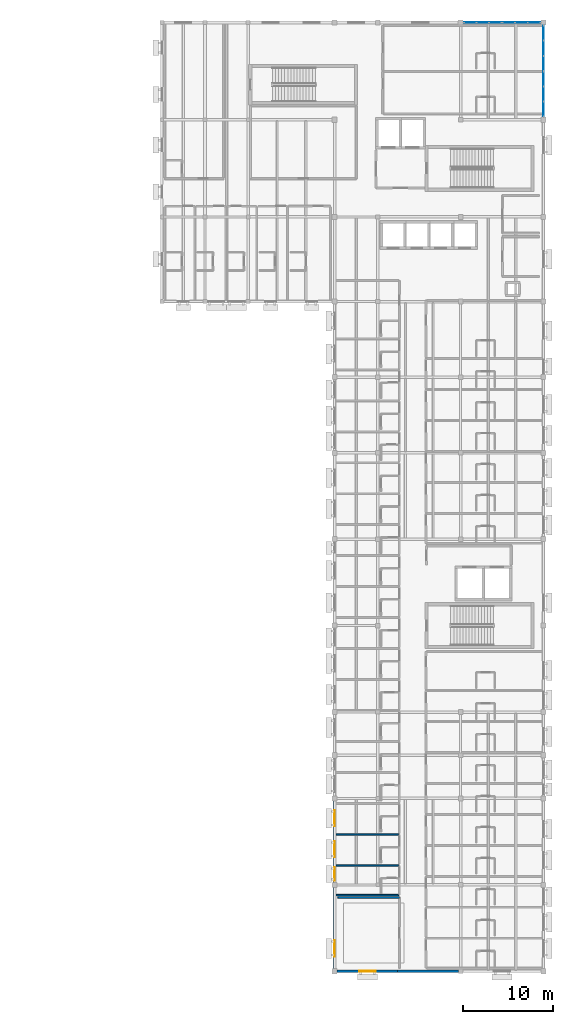
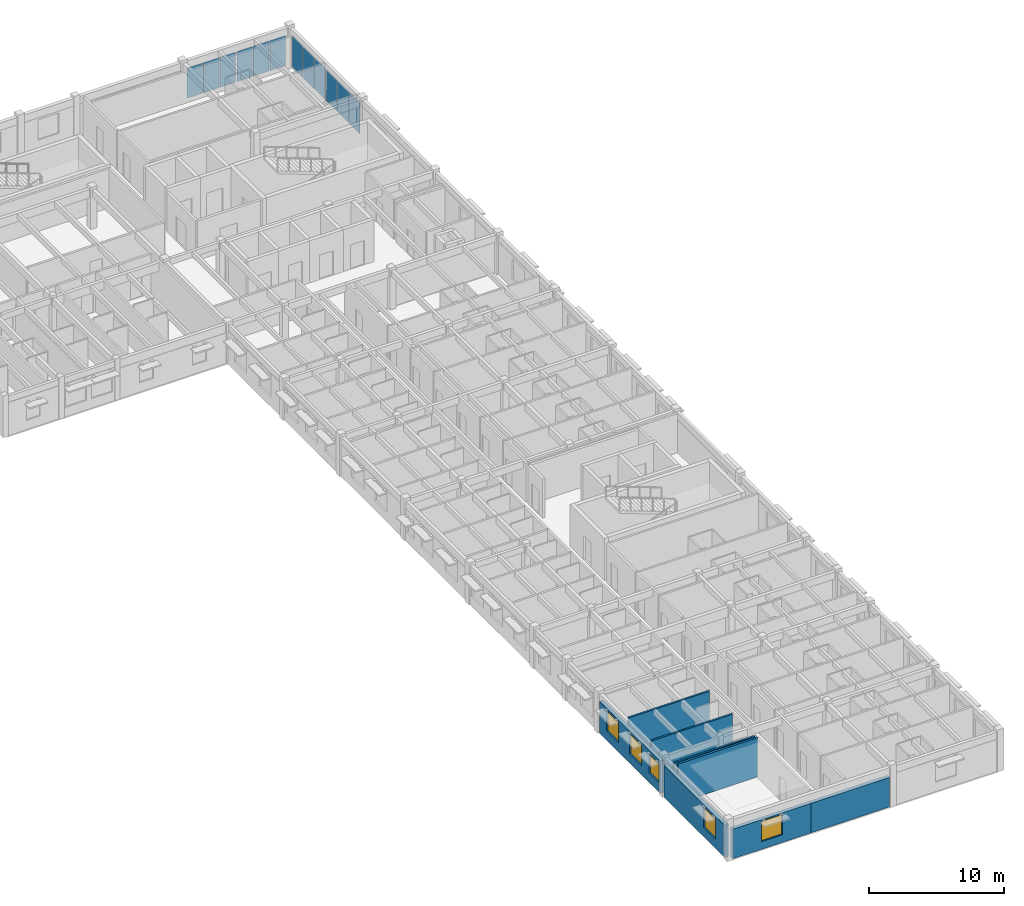
# One storey, part 9 of 31: 12 plates, 8 walls, 5 windows, 5 openings, 4 elements without a shape of their own.
"""IFC4 building model written with IfcOpenShell, lengths in metres."""

from ifc_helpers import new_model, si_unit, direction, frame, frame_2d, origin, origin_2d, place, context, subcontext, project, spatial, rectangle, extrude, material, layer, layer_set, type_object, element, fill, aggregate, save


model = new_model("IFC4")

# Units and contexts
model_context = context("Model", 3, precision=1e-05, world=origin(), true_north=direction((0.0, 1.0)))
body_context = subcontext(model_context, "Body", "Model", "MODEL_VIEW")
ifc_project = project(units=[si_unit("LENGTHUNIT", "METRE"), si_unit("AREAUNIT", "SQUARE_METRE"), si_unit("VOLUMEUNIT", "CUBIC_METRE"), si_unit("PLANEANGLEUNIT", "RADIAN"), si_unit("MASSUNIT", "GRAM", prefix="KILO")], contexts=[model_context])

# Site, building, storey
site_placement = place(None, origin())
site = spatial("IfcSite", under=ifc_project, at=site_placement, CompositionType="ELEMENT")
building_placement = place(site_placement, origin())
building = spatial("IfcBuilding", under=site, at=building_placement, Name="Veldera Park Congress Hotel", CompositionType="ELEMENT")
storey_placement = place(building_placement, frame((0.0, 0.0, 20.0)))
storey = spatial("IfcBuildingStorey", under=building, at=storey_placement, Name="L04", CompositionType="ELEMENT", Elevation=20.0)

# Curtain wall, plates
ifc_material_1 = material(Name="Low-E Triple Insulating Glass Unit (SHGC 0.22)", Category="glass")
curtain_wall_type = type_object("IfcCurtainWallType", Name="CW-HTL", PredefinedType="NOTDEFINED", material=ifc_material_1)
curtain_wall_1_placement = place(storey_placement, origin())
curtain_wall_1 = element("IfcCurtainWall", 1, at=curtain_wall_1_placement, inside=storey, type_object=curtain_wall_type, Name="L04 Curtain Wall CW3-HTLNE-L04-100", PredefinedType="NOTDEFINED")
ifc_layer_1 = layer(ifc_material_1, 0.028076171875)
ifc_layer_set_1 = layer_set([ifc_layer_1], Name="Low-E Triple Insulating Glass Unit (SHGC 0.22)")
plate_type = type_object("IfcPlateType", Name="CWP-IGU28", PredefinedType="CURTAIN_PANEL", material=ifc_layer_set_1)
plate_1_placement = place(storey_placement, frame((84.0, 48.379150390625, 0.06005859375), z_axis=(0.0, 0.0, 1.0), x_axis=(0.0, 1.0, 0.0)))
plate_1 = element("IfcPlate", 2, at=plate_1_placement, type_object=plate_type, Name="CW-HTL panel 1.1", PredefinedType="CURTAIN_PANEL", context=body_context, shape_type="SweptSolid", body=[
    extrude(rectangle(XDim=1.598388671875, YDim=0.028076171875, at=origin_2d()), origin(), (0.0, 0.0, 1.0), 2.844970703125),
])
plate_2_placement = place(storey_placement, frame((84.0, 50.052490234375, 0.06005859375), z_axis=(0.0, 0.0, 1.0), x_axis=(0.0, 1.0, 0.0)))
plate_2 = element("IfcPlate", 3, at=plate_2_placement, type_object=plate_type, Name="CW-HTL panel 2.1", PredefinedType="CURTAIN_PANEL", context=body_context, shape_type="SweptSolid", body=[
    extrude(rectangle(XDim=1.62841796875, YDim=0.028076171875, at=origin_2d()), origin(), (0.0, 0.0, 1.0), 2.844970703125),
])
plate_3_placement = place(storey_placement, frame((84.0, 51.725830078125, 0.06005859375), z_axis=(0.0, 0.0, 1.0), x_axis=(0.0, 1.0, 0.0)))
plate_3 = element("IfcPlate", 4, at=plate_3_placement, type_object=plate_type, Name="CW-HTL panel 3.1", PredefinedType="CURTAIN_PANEL", context=body_context, shape_type="SweptSolid", body=[
    extrude(rectangle(XDim=1.598388671875, YDim=0.028076171875, at=origin_2d()), origin(), (0.0, 0.0, 1.0), 2.844970703125),
])
aggregate(curtain_wall_1, [plate_1, plate_2, plate_3])

curtain_wall_2_placement = place(storey_placement, origin())
curtain_wall_2 = element("IfcCurtainWall", 5, at=curtain_wall_2_placement, inside=storey, type_object=curtain_wall_type, Name="L04 Curtain Wall CW3-HTLNE-L04-101", PredefinedType="NOTDEFINED")
plate_4_placement = place(storey_placement, frame((84.0, 53.47412109375, 0.06005859375), z_axis=(0.0, 0.0, 1.0), x_axis=(0.0, 1.0, 0.0)))
plate_4 = element("IfcPlate", 6, at=plate_4_placement, type_object=plate_type, Name="CW-HTL panel 1.1", PredefinedType="CURTAIN_PANEL", context=body_context, shape_type="SweptSolid", body=[
    extrude(rectangle(XDim=1.598388671875, YDim=0.028076171875, at=origin_2d()), origin(), (0.0, 0.0, 1.0), 2.844970703125),
])
plate_5_placement = place(storey_placement, frame((84.0, 55.1474609375, 0.06005859375), z_axis=(0.0, 0.0, 1.0), x_axis=(0.0, 1.0, 0.0)))
plate_5 = element("IfcPlate", 7, at=plate_5_placement, type_object=plate_type, Name="CW-HTL panel 2.1", PredefinedType="CURTAIN_PANEL", context=body_context, shape_type="SweptSolid", body=[
    extrude(rectangle(XDim=1.62841796875, YDim=0.028076171875, at=origin_2d()), origin(), (0.0, 0.0, 1.0), 2.844970703125),
])
plate_6_placement = place(storey_placement, frame((84.0, 56.82080078125, 0.06005859375), z_axis=(0.0, 0.0, 1.0), x_axis=(0.0, 1.0, 0.0)))
plate_6 = element("IfcPlate", 8, at=plate_6_placement, type_object=plate_type, Name="CW-HTL panel 3.1", PredefinedType="CURTAIN_PANEL", context=body_context, shape_type="SweptSolid", body=[
    extrude(rectangle(XDim=1.598388671875, YDim=0.028076171875, at=origin_2d()), origin(), (0.0, 0.0, 1.0), 2.844970703125),
])
aggregate(curtain_wall_2, [plate_4, plate_5, plate_6])

curtain_wall_3_placement = place(storey_placement, origin())
curtain_wall_3 = element("IfcCurtainWall", 9, at=curtain_wall_3_placement, inside=storey, type_object=curtain_wall_type, Name="L04 Curtain Wall CW3-HTLNN-L04-102", PredefinedType="NOTDEFINED")
plate_7_placement = place(storey_placement, frame((82.9541015625, 58.0, 0.06005859375), z_axis=(0.0, 0.0, 1.0), x_axis=(-1.0, 0.0, 0.0)))
plate_7 = element("IfcPlate", 10, at=plate_7_placement, type_object=plate_type, Name="CW-HTL panel 1.1", PredefinedType="CURTAIN_PANEL", context=body_context, shape_type="SweptSolid", body=[
    extrude(rectangle(XDim=1.331787109375, YDim=0.028076171875, at=origin_2d()), origin(), (0.0, 0.0, 1.0), 2.7451171875),
])
plate_8_placement = place(storey_placement, frame((81.547607421875, 58.0, 0.06005859375), z_axis=(0.0, 0.0, 1.0), x_axis=(-1.0, 0.0, 0.0)))
plate_8 = element("IfcPlate", 11, at=plate_8_placement, type_object=plate_type, Name="CW-HTL panel 2.1", PredefinedType="CURTAIN_PANEL", context=body_context, shape_type="SweptSolid", body=[
    extrude(rectangle(XDim=1.361572265625, YDim=0.028076171875, at=origin_2d()), origin(), (0.0, 0.0, 1.0), 2.7451171875),
])
plate_9_placement = place(storey_placement, frame((80.140869140625, 58.0, 0.06005859375), z_axis=(0.0, 0.0, 1.0), x_axis=(-1.0, 0.0, 0.0)))
plate_9 = element("IfcPlate", 12, at=plate_9_placement, type_object=plate_type, Name="CW-HTL panel 3.1", PredefinedType="CURTAIN_PANEL", context=body_context, shape_type="SweptSolid", body=[
    extrude(rectangle(XDim=1.331787109375, YDim=0.028076171875, at=origin_2d()), origin(), (0.0, 0.0, 1.0), 2.7451171875),
])
aggregate(curtain_wall_3, [plate_7, plate_8, plate_9])

curtain_wall_4_placement = place(storey_placement, origin())
curtain_wall_4 = element("IfcCurtainWall", 13, at=curtain_wall_4_placement, inside=storey, type_object=curtain_wall_type, Name="L04 Curtain Wall CW3-HTLNN-L04-103", PredefinedType="NOTDEFINED")
plate_10_placement = place(storey_placement, frame((78.6591796875, 58.0, 0.06005859375), z_axis=(0.0, 0.0, 1.0), x_axis=(-1.0, 0.0, 0.0)))
plate_10 = element("IfcPlate", 14, at=plate_10_placement, type_object=plate_type, Name="CW-HTL panel 1.1", PredefinedType="CURTAIN_PANEL", context=body_context, shape_type="SweptSolid", body=[
    extrude(rectangle(XDim=1.331787109375, YDim=0.028076171875, at=origin_2d()), origin(), (0.0, 0.0, 1.0), 2.7451171875),
])
plate_11_placement = place(storey_placement, frame((77.25244140625, 58.0, 0.06005859375), z_axis=(0.0, 0.0, 1.0), x_axis=(-1.0, 0.0, 0.0)))
plate_11 = element("IfcPlate", 15, at=plate_11_placement, type_object=plate_type, Name="CW-HTL panel 2.1", PredefinedType="CURTAIN_PANEL", context=body_context, shape_type="SweptSolid", body=[
    extrude(rectangle(XDim=1.361572265625, YDim=0.028076171875, at=origin_2d()), origin(), (0.0, 0.0, 1.0), 2.7451171875),
])
plate_12_placement = place(storey_placement, frame((75.845947265625, 58.0, 0.06005859375), z_axis=(0.0, 0.0, 1.0), x_axis=(-1.0, 0.0, 0.0)))
plate_12 = element("IfcPlate", 16, at=plate_12_placement, type_object=plate_type, Name="CW-HTL panel 3.1", PredefinedType="CURTAIN_PANEL", context=body_context, shape_type="SweptSolid", body=[
    extrude(rectangle(XDim=1.331787109375, YDim=0.028076171875, at=origin_2d()), origin(), (0.0, 0.0, 1.0), 2.7451171875),
])
aggregate(curtain_wall_4, [plate_10, plate_11, plate_12])

# Wall, opening, window
ifc_material_2 = material(Name="Cross-laminated timber CLT V2M1.1", Category="wood")
ifc_layer_2 = layer(ifc_material_2, 0.320068359375)
ifc_layer_set_2 = layer_set([ifc_layer_2], Name="Cross-laminated timber CLT V2M1.1")
wall_type_1 = type_object("IfcWallType", Name="EW-CLT320", PredefinedType="STANDARD", material=ifc_layer_set_2)
wall_1_placement = place(storey_placement, frame((61.077880859375, -47.39990234375, 0.0), z_axis=(0.0, 0.0, 1.0), x_axis=(1.0, 0.0, 0.0)))
wall_1 = element("IfcWall", 17, at=wall_1_placement, inside=storey, type_object=wall_type_1, Name="L04 Exterior Wall EW3-L04-0242", PredefinedType="STANDARD", context=body_context, shape_type="SweptSolid", body=[
    extrude(rectangle(XDim=6.734130859375, YDim=0.320068359375, at=frame_2d((3.3671875, 0.0))), origin(), (0.0, 0.0, 1.0), 2.68505859375),
])
opening_1_placement = place(wall_1_placement, frame((2.467041015625, 0.0, 0.695068359375)))
opening_1 = element("IfcOpeningElement", 18, at=opening_1_placement, cuts=wall_1, Name="Opening WIN-1800", PredefinedType="OPENING", context=body_context, shape_type="SweptSolid", body=[
    extrude(rectangle(XDim=1.800048828125, YDim=1.85009765625, at=frame_2d((0.89990234375, 0.925048828125))), frame((0.0, 0.172119140625, 0.0), z_axis=(0.0, -1.0, 0.0), x_axis=(1.0, 0.0, 0.0)), (0.0, 0.0, 1.0), 0.343994140625),
])
window_type_1 = type_object("IfcWindowType", Name="WIN-1800", PartitioningType="SINGLE_PANEL", PredefinedType="WINDOW", material=ifc_material_1)
window_1_placement = place(opening_1_placement, origin())
window_1 = element("IfcWindow", 19, at=window_1_placement, inside=storey, type_object=window_type_1, Name="L04 Window WIN-1800 199", OverallHeight=1.85009765625, OverallWidth=1.800048828125, PartitioningType="SINGLE_PANEL", PredefinedType="WINDOW", context=body_context, shape_type="SweptSolid", body=[
    extrude(rectangle(XDim=1.800048828125, YDim=1.85009765625, at=frame_2d((0.89990234375, 0.925048828125))), frame((0.0, 0.030029296875, 0.0), z_axis=(0.0, -1.0, 0.0), x_axis=(1.0, 0.0, 0.0)), (0.0, 0.0, 1.0), 0.06005859375),
])
fill(opening_1, window_1)

# Wall
wall_2_placement = place(storey_placement, frame((67.80810546875, -47.39990234375, 0.0), z_axis=(0.0, 0.0, 1.0), x_axis=(1.0, 0.0, 0.0)))
element("IfcWall", 20, at=wall_2_placement, inside=storey, type_object=wall_type_1, Name="L04 Exterior Wall EW3-L04-0243", PredefinedType="STANDARD", context=body_context, shape_type="SweptSolid", body=[
    extrude(rectangle(XDim=6.73388671875, YDim=0.320068359375, at=frame_2d((3.366943359375, 0.0))), origin(), (0.0, 0.0, 1.0), 2.68505859375),
])

# Wall, openings, windows
wall_3_placement = place(storey_placement, frame((60.800048828125, -28.47802734375, 0.0), z_axis=(0.0, 0.0, 1.0), x_axis=(0.0, -1.0, 0.0)))
wall_3 = element("IfcWall", 21, at=wall_3_placement, inside=storey, type_object=wall_type_1, Name="L04 Exterior Wall EW3-L04-0274", PredefinedType="STANDARD", context=body_context, shape_type="SweptSolid", body=[
    extrude(rectangle(XDim=9.0439453125, YDim=0.320068359375, at=frame_2d((4.52197265625, 0.0))), origin(), (0.0, 0.0, 1.0), 2.905029296875),
])
opening_2_placement = place(wall_3_placement, frame((7.347900390625, 0.0, 0.85009765625)))
opening_2 = element("IfcOpeningElement", 22, at=opening_2_placement, cuts=wall_3, Name="Opening WIN-1500", PredefinedType="OPENING", context=body_context, shape_type="SweptSolid", body=[
    extrude(rectangle(XDim=1.5, YDim=1.75, at=frame_2d((0.75, 0.875))), frame((0.0, 0.172119140625, 0.0), z_axis=(0.0, -1.0, 0.0), x_axis=(1.0, 0.0, 0.0)), (0.0, 0.0, 1.0), 0.343994140625),
])
opening_3_placement = place(wall_3_placement, frame((4.471923828125, 0.0, 0.85009765625)))
opening_3 = element("IfcOpeningElement", 23, at=opening_3_placement, cuts=wall_3, Name="Opening WIN-1800", PredefinedType="OPENING", context=body_context, shape_type="SweptSolid", body=[
    extrude(rectangle(XDim=1.800048828125, YDim=1.85009765625, at=frame_2d((0.89990234375, 0.925048828125))), frame((0.0, 0.172119140625, 0.0), z_axis=(0.0, -1.0, 0.0), x_axis=(1.0, 0.0, 0.0)), (0.0, 0.0, 1.0), 0.343994140625),
])
opening_4_placement = place(wall_3_placement, frame((1.031982421875, 0.0, 0.85009765625)))
opening_4 = element("IfcOpeningElement", 24, at=opening_4_placement, cuts=wall_3, Name="Opening WIN-1800", PredefinedType="OPENING", context=body_context, shape_type="SweptSolid", body=[
    extrude(rectangle(XDim=1.800048828125, YDim=1.85009765625, at=frame_2d((0.89990234375, 0.925048828125))), frame((0.0, 0.172119140625, 0.0), z_axis=(0.0, -1.0, 0.0), x_axis=(1.0, 0.0, 0.0)), (0.0, 0.0, 1.0), 0.343994140625),
])
window_type_2 = type_object("IfcWindowType", Name="WIN-1500", PartitioningType="SINGLE_PANEL", PredefinedType="WINDOW", material=ifc_material_1)
window_2_placement = place(opening_2_placement, origin())
window_2 = element("IfcWindow", 25, at=window_2_placement, inside=storey, type_object=window_type_2, Name="L04 Window WIN-1500 439", OverallHeight=1.75, OverallWidth=1.5, PartitioningType="SINGLE_PANEL", PredefinedType="WINDOW", context=body_context, shape_type="SweptSolid", body=[
    extrude(rectangle(XDim=1.5, YDim=1.75, at=frame_2d((0.75, 0.875))), frame((0.0, 0.030029296875, 0.0), z_axis=(0.0, -1.0, 0.0), x_axis=(1.0, 0.0, 0.0)), (0.0, 0.0, 1.0), 0.06005859375),
])
fill(opening_2, window_2)
window_3_placement = place(opening_3_placement, origin())
window_3 = element("IfcWindow", 26, at=window_3_placement, inside=storey, type_object=window_type_1, Name="L04 Window WIN-1800 440", OverallHeight=1.85009765625, OverallWidth=1.800048828125, PartitioningType="SINGLE_PANEL", PredefinedType="WINDOW", context=body_context, shape_type="SweptSolid", body=[
    extrude(rectangle(XDim=1.800048828125, YDim=1.85009765625, at=frame_2d((0.89990234375, 0.925048828125))), frame((0.0, 0.030029296875, 0.0), z_axis=(0.0, -1.0, 0.0), x_axis=(1.0, 0.0, 0.0)), (0.0, 0.0, 1.0), 0.06005859375),
])
fill(opening_3, window_3)
window_4_placement = place(opening_4_placement, origin())
window_4 = element("IfcWindow", 27, at=window_4_placement, inside=storey, type_object=window_type_1, Name="L04 Window WIN-1800 441", OverallHeight=1.85009765625, OverallWidth=1.800048828125, PartitioningType="SINGLE_PANEL", PredefinedType="WINDOW", context=body_context, shape_type="SweptSolid", body=[
    extrude(rectangle(XDim=1.800048828125, YDim=1.85009765625, at=frame_2d((0.89990234375, 0.925048828125))), frame((0.0, 0.030029296875, 0.0), z_axis=(0.0, -1.0, 0.0), x_axis=(1.0, 0.0, 0.0)), (0.0, 0.0, 1.0), 0.06005859375),
])
fill(opening_4, window_4)

# Wall, opening, window
wall_4_placement = place(storey_placement, frame((60.800048828125, -38.077880859375, 0.0), z_axis=(0.0, 0.0, 1.0), x_axis=(0.0, -1.0, 0.0)))
wall_4 = element("IfcWall", 28, at=wall_4_placement, inside=storey, type_object=wall_type_1, Name="L04 Exterior Wall EW3-L04-0275", PredefinedType="STANDARD", context=body_context, shape_type="SweptSolid", body=[
    extrude(rectangle(XDim=9.044189453125, YDim=0.320068359375, at=frame_2d((4.52197265625, 0.0))), origin(), (0.0, 0.0, 1.0), 2.905029296875),
])
opening_5_placement = place(wall_4_placement, frame((5.883056640625, 0.0, 0.85009765625)))
opening_5 = element("IfcOpeningElement", 29, at=opening_5_placement, cuts=wall_4, Name="Opening WIN-1800", PredefinedType="OPENING", context=body_context, shape_type="SweptSolid", body=[
    extrude(rectangle(XDim=1.800048828125, YDim=1.85009765625, at=frame_2d((0.89990234375, 0.925048828125))), frame((0.0, 0.172119140625, 0.0), z_axis=(0.0, -1.0, 0.0), x_axis=(1.0, 0.0, 0.0)), (0.0, 0.0, 1.0), 0.343994140625),
])
window_5_placement = place(opening_5_placement, origin())
window_5 = element("IfcWindow", 30, at=window_5_placement, inside=storey, type_object=window_type_1, Name="L04 Window WIN-1800 218", OverallHeight=1.85009765625, OverallWidth=1.800048828125, PartitioningType="SINGLE_PANEL", PredefinedType="WINDOW", context=body_context, shape_type="SweptSolid", body=[
    extrude(rectangle(XDim=1.800048828125, YDim=1.85009765625, at=frame_2d((0.89990234375, 0.925048828125))), frame((0.0, 0.030029296875, 0.0), z_axis=(0.0, -1.0, 0.0), x_axis=(1.0, 0.0, 0.0)), (0.0, 0.0, 1.0), 0.06005859375),
])
fill(opening_5, window_5)

# Walls
ifc_material_3 = material(Name="Fire-Rated Gypsum Board on Cold-Formed Steel Studs", Category="steel")
ifc_layer_3 = layer(ifc_material_3, 0.179931640625)
ifc_layer_set_3 = layer_set([ifc_layer_3], Name="Fire-Rated Gypsum Board on Cold-Formed Steel Studs")
wall_type_2 = type_object("IfcWallType", Name="IW-CORR180", PredefinedType="PARTITIONING", material=ifc_layer_set_3)
wall_5_placement = place(storey_placement, frame((68.0, -39.199951171875, 0.0), z_axis=(0.0, 0.0, 1.0), x_axis=(-1.0, 0.0, 0.0)))
element("IfcWall", 31, at=wall_5_placement, inside=storey, type_object=wall_type_2, Name="L04 Partition Wall IW3-L04-00250", PredefinedType="PARTITIONING", context=body_context, shape_type="SweptSolid", body=[
    extrude(rectangle(XDim=6.85009765625, YDim=0.179931640625, at=frame_2d((3.425048828125, 0.0))), origin(), (0.0, 0.0, 1.0), 3.550048828125),
])
ifc_layer_4 = layer(ifc_material_2, 0.159912109375)
ifc_layer_set_4 = layer_set([ifc_layer_4], Name="Cross-laminated timber CLT V2M1.1")
wall_type_3 = type_object("IfcWallType", Name="IW-UNIT160", PredefinedType="PARTITIONING", material=ifc_layer_set_4)
for number, where, z_axis, x_axis, name in (
    (32, (60.9599609375, -38.949951171875, 0.0), (0.0, 0.0, 1.0), (1.0, 0.0, 0.0), "L04 Partition Wall IW3-L04-00803"),
    (33, (60.9599609375, -35.6298828125, 0.0), (0.0, 0.0, 1.0), (1.0, 0.0, 0.0), "L04 Partition Wall IW3-L04-00804"),
    (34, (60.9599609375, -32.18994140625, 0.0), (0.0, 0.0, 1.0), (1.0, 0.0, 0.0), "L04 Partition Wall IW3-L04-00808"),
):
    element("IfcWall", number, at=place(storey_placement, frame(where, z_axis=z_axis, x_axis=x_axis)), inside=storey, type_object=wall_type_3, Name=name, PredefinedType="PARTITIONING", context=body_context, shape_type="SweptSolid", body=[
        extrude(rectangle(XDim=6.93994140625, YDim=0.159912109375, at=frame_2d((3.469970703125, 0.0))), origin(), (0.0, 0.0, 1.0), 3.550048828125),
    ])

save(model, "model.ifc")
